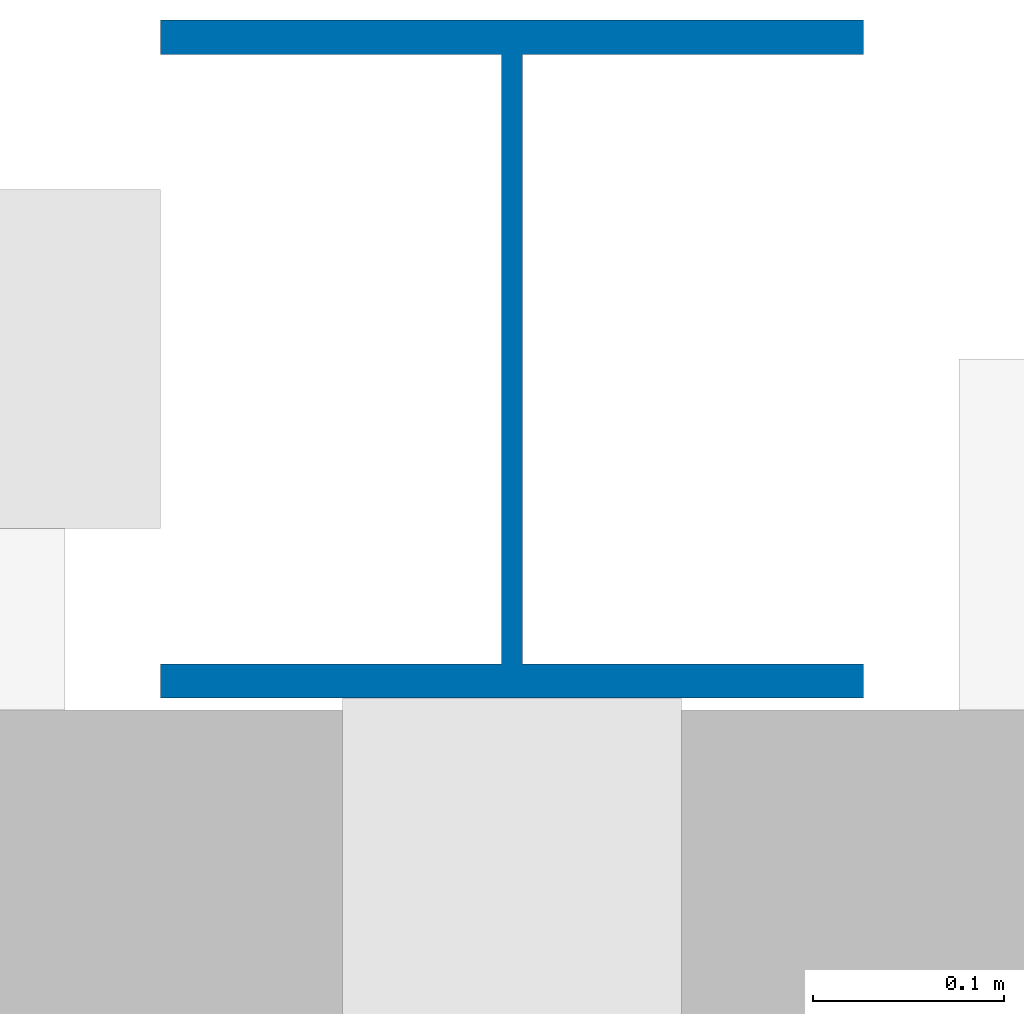
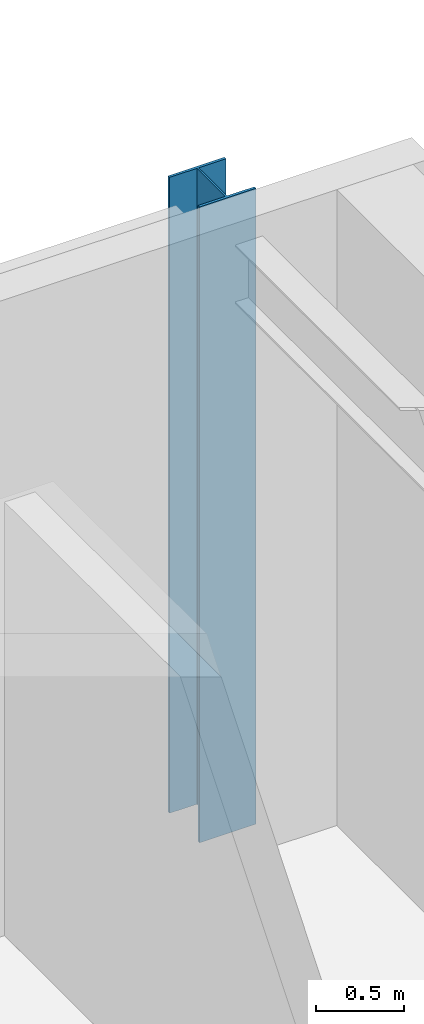
# One storey, part 14 of 169: 1 column.
"""IFC4 building model written with IfcOpenShell, lengths in metres."""

from ifc_helpers import new_model, si_unit, direction, frame, origin, origin_2d, place, context, subcontext, project, spatial, i_section, extrude, material, material_profile, profile_set, type_object, element, save


model = new_model("IFC4")

# Units and contexts
model_context = context("Model", 3, precision=1e-05, world=origin(), true_north=direction((0.0, 1.0)))
body_context = subcontext(model_context, "Body", "Model", "MODEL_VIEW")
ifc_project = project(units=[si_unit("LENGTHUNIT", "METRE"), si_unit("AREAUNIT", "SQUARE_METRE"), si_unit("VOLUMEUNIT", "CUBIC_METRE"), si_unit("PLANEANGLEUNIT", "RADIAN"), si_unit("MASSUNIT", "GRAM", prefix="KILO")], contexts=[model_context])

# Site, building, storey
site_placement = place(None, origin())
site = spatial("IfcSite", under=ifc_project, at=site_placement, CompositionType="ELEMENT")
building_placement = place(site_placement, origin())
building = spatial("IfcBuilding", under=site, at=building_placement, Name="Verrick Yard Athletic Hall", CompositionType="ELEMENT")
storey_placement = place(building_placement, frame((0.0, 0.0, 4.39990234375)))
storey = spatial("IfcBuildingStorey", under=building, at=storey_placement, Name="L01", CompositionType="ELEMENT", Elevation=4.39990234375)

# Column
ifc_material = material(Name="Structural steel 350W (CSA G40.21)", Category="steel")
ifc_material_profile = material_profile(ifc_material, i_section(OverallWidth=0.368896484375, OverallDepth=0.35595703125, WebThickness=0.01123046875, FlangeThickness=0.01806640625, at=origin_2d()), Name="W360x134")
ifc_profile_set = profile_set([ifc_material_profile], Name="Structural steel 350W (CSA G40.21)")
column_type = type_object("IfcColumnType", Name="HB column W360x134", PredefinedType="COLUMN", material=ifc_profile_set)
column_placement = place(storey_placement, frame((76.0, 108.0, 0.0), z_axis=(0.0, 0.0, 1.0), x_axis=(1.0, 0.0, 0.0)))
element("IfcColumn", 1, at=column_placement, inside=storey, type_object=column_type, Name="HB-C-HBE6-L01", PredefinedType="COLUMN", context=body_context, shape_type="SweptSolid", body=[
    extrude(i_section(OverallWidth=0.368896484375, OverallDepth=0.35595703125, WebThickness=0.01123046875, FlangeThickness=0.01806640625, at=origin_2d()), origin(), (0.0, 0.0, 1.0), 4.400146484375),
])

save(model, "model.ifc")
